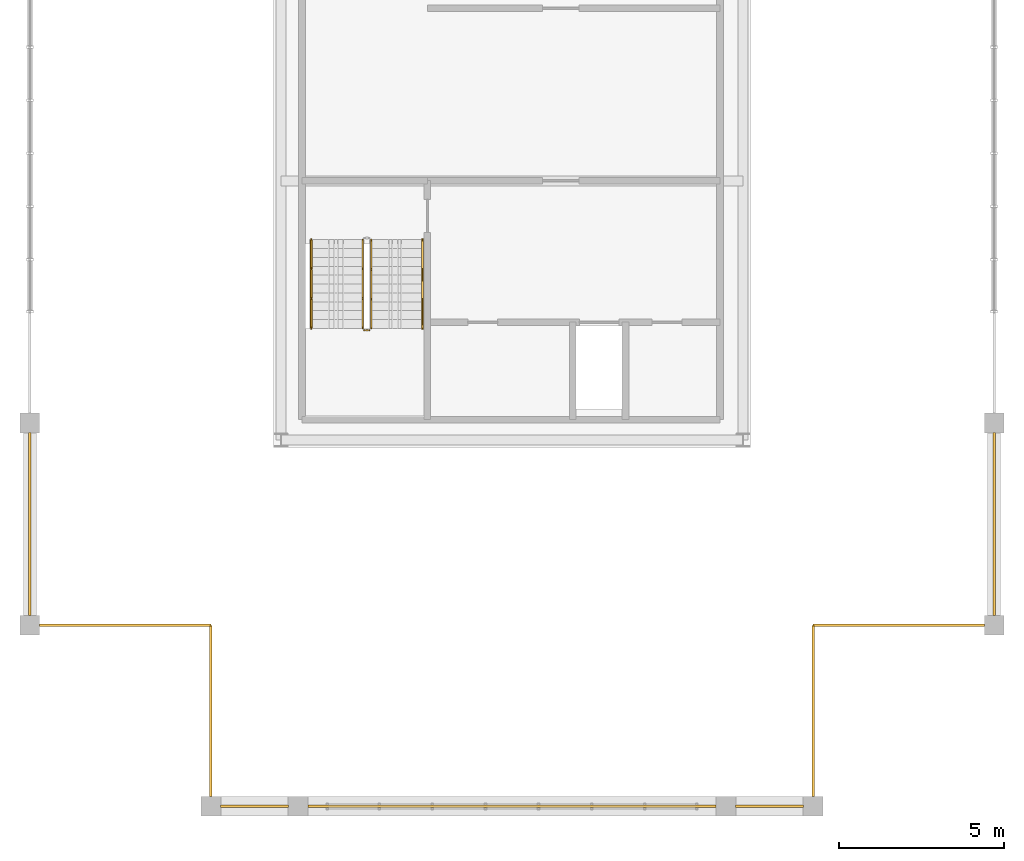
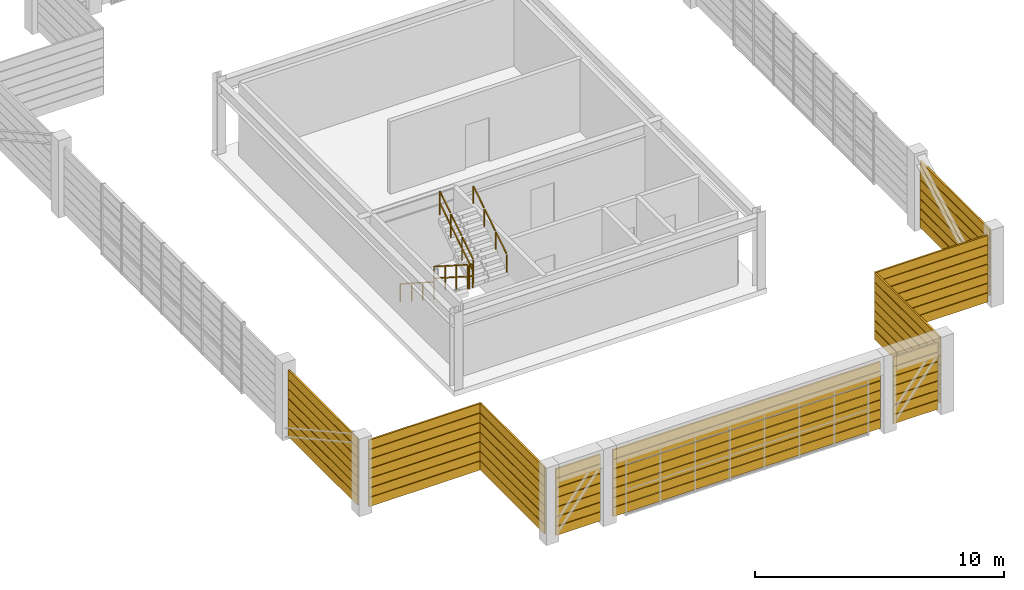
# One storey, part 19 of 21: 63 shading devices, 5 railings.
"""IFC4 building model written with IfcOpenShell, lengths in metres."""

from ifc_helpers import new_model, si_unit, direction, frame, origin, origin_2d, place, context, subcontext, project, spatial, rectangle, extrude, source, transform, mapped, material, material_profile, profile_set, type_object, element, save


model = new_model("IFC4")

# Units and contexts
model_context = context("Model", 3, precision=1e-05, world=origin(), true_north=direction((0.0, 1.0)))
body_context = subcontext(model_context, "Body", "Model", "MODEL_VIEW")
ifc_project = project(units=[si_unit("LENGTHUNIT", "METRE"), si_unit("AREAUNIT", "SQUARE_METRE"), si_unit("VOLUMEUNIT", "CUBIC_METRE"), si_unit("PLANEANGLEUNIT", "RADIAN"), si_unit("MASSUNIT", "GRAM", prefix="KILO")], contexts=[model_context])

# Site, building, storey
site_placement = place(None, origin())
site = spatial("IfcSite", under=ifc_project, at=site_placement, CompositionType="ELEMENT")
building_placement = place(site_placement, origin())
building = spatial("IfcBuilding", under=site, at=building_placement, Name="Saelheon Loggia Tower", CompositionType="ELEMENT")
storey_placement = place(building_placement, frame((0.0, 0.0, 267.39990234375)))
storey = spatial("IfcBuildingStorey", under=building, at=storey_placement, Name="CR5", CompositionType="ELEMENT", Elevation=267.39990234375)

# Railings
ifc_material_1 = material(Name="Galvanised Steel S275 Stairwell Guardrail", Category="steel")
railing_type_1 = type_object("IfcRailingType", Name="Guard_StairWell_RL_STG", PredefinedType="GUARDRAIL", material=ifc_material_1)
railing_1_placement = place(storey_placement, frame((33.4599609375, 23.570068359375, 0.1728515625)))
element("IfcRailing", 1, at=railing_1_placement, inside=storey, type_object=railing_type_1, Name="CR5 ST5 stair guard 1", PredefinedType="GUARDRAIL", context=body_context, shape_type="SweptSolid", body=[
    extrude(rectangle(XDim=0.048095703125, YDim=0.048095703125, at=origin_2d()), frame((0.0, -0.028076171875, 1.19384765625), z_axis=(0.0, -0.842366838036, 0.538904546443), x_axis=(1.0, 0.0, 0.0)), (0.0, 0.0, 1.0), 1.001953125),
    extrude(rectangle(XDim=0.048095703125, YDim=0.048095703125, at=origin_2d()), frame((0.0, -0.028076171875, 0.617919921875), z_axis=(0.0, -0.842366838036, 0.538904546443), x_axis=(1.0, 0.0, 0.0)), (0.0, 0.0, 1.0), 1.001953125),
    extrude(rectangle(XDim=0.048095703125, YDim=0.048095703125, at=origin_2d()), frame((0.0, -0.927978515625, 1.76953125), z_axis=(0.0, -0.842366838036, 0.538904546443), x_axis=(1.0, 0.0, 0.0)), (0.0, 0.0, 1.0), 1.001953125),
    extrude(rectangle(XDim=0.048095703125, YDim=0.048095703125, at=origin_2d()), frame((0.0, -0.927978515625, 1.193603515625), z_axis=(0.0, -0.842366838036, 0.538904546443), x_axis=(1.0, 0.0, 0.0)), (0.0, 0.0, 1.0), 1.001953125),
    extrude(rectangle(XDim=0.048095703125, YDim=0.048095703125, at=origin_2d()), frame((0.0, -1.827880859375, 2.345458984375), z_axis=(0.0, -0.842366838036, 0.538904546443), x_axis=(1.0, 0.0, 0.0)), (0.0, 0.0, 1.0), 1.001953125),
    extrude(rectangle(XDim=0.048095703125, YDim=0.048095703125, at=origin_2d()), frame((0.0, -1.827880859375, 1.76953125), z_axis=(0.0, -0.842366838036, 0.538904546443), x_axis=(1.0, 0.0, 0.0)), (0.0, 0.0, 1.0), 1.001953125),
    extrude(rectangle(XDim=0.0419921875, YDim=0.0419921875, at=origin_2d()), origin(), (0.0, 0.0, 1.0), 1.14794921875),
    extrude(rectangle(XDim=0.0419921875, YDim=0.0419921875, at=origin_2d()), frame((0.0, -0.89990234375, 0.57568359375)), (0.0, 0.0, 1.0), 1.14794921875),
    extrude(rectangle(XDim=0.0419921875, YDim=0.0419921875, at=origin_2d()), frame((0.0, -1.800048828125, 1.151611328125)), (0.0, 0.0, 1.0), 1.14794921875),
    extrude(rectangle(XDim=0.0419921875, YDim=0.0419921875, at=origin_2d()), frame((0.0, -2.699951171875, 1.727294921875)), (0.0, 0.0, 1.0), 1.14794921875),
])
railing_2_placement = place(storey_placement, frame((33.510009765625, 20.820068359375, 1.900146484375)))
element("IfcRailing", 2, at=railing_2_placement, inside=storey, type_object=railing_type_1, Name="CR5 ST5 stair guard 2", PredefinedType="GUARDRAIL", context=body_context, shape_type="SweptSolid", body=[
    extrude(rectangle(XDim=0.048095703125, YDim=0.048095703125, at=origin_2d()), frame((0.033203125, 0.0, 1.17578125), z_axis=(1.0, 0.0, 0.0), x_axis=(0.0, 1.0, 0.0)), (0.0, 0.0, 1.0), 0.093505859375),
    extrude(rectangle(XDim=0.048095703125, YDim=0.048095703125, at=origin_2d()), frame((0.033203125, 0.0, 0.60009765625), z_axis=(1.0, 0.0, 0.0), x_axis=(0.0, 1.0, 0.0)), (0.0, 0.0, 1.0), 0.093505859375),
    extrude(rectangle(XDim=0.0419921875, YDim=0.0419921875, at=origin_2d()), origin(), (0.0, 0.0, 1.0), 1.14794921875),
    extrude(rectangle(XDim=0.0419921875, YDim=0.0419921875, at=origin_2d()), frame((0.159912109375, 0.0, 0.0)), (0.0, 0.0, 1.0), 1.14794921875),
])
railing_3_placement = place(storey_placement, frame((33.719970703125, 20.8701171875, 2.07275390625)))
element("IfcRailing", 3, at=railing_3_placement, inside=storey, type_object=railing_type_1, Name="CR5 ST5 stair guard 3", PredefinedType="GUARDRAIL", context=body_context, shape_type="SweptSolid", body=[
    extrude(rectangle(XDim=0.048095703125, YDim=0.048095703125, at=origin_2d()), frame((0.0, 0.028076171875, 1.19384765625), z_axis=(0.0, 0.842366838036, 0.538904546443), x_axis=(-1.0, 0.0, 0.0)), (0.0, 0.0, 1.0), 1.001953125),
    extrude(rectangle(XDim=0.048095703125, YDim=0.048095703125, at=origin_2d()), frame((0.0, 0.028076171875, 0.617919921875), z_axis=(0.0, 0.842366838036, 0.538904546443), x_axis=(-1.0, 0.0, 0.0)), (0.0, 0.0, 1.0), 1.001953125),
    extrude(rectangle(XDim=0.048095703125, YDim=0.048095703125, at=origin_2d()), frame((0.0, 0.927978515625, 1.76953125), z_axis=(0.0, 0.842366838036, 0.538904546443), x_axis=(-1.0, 0.0, 0.0)), (0.0, 0.0, 1.0), 1.001953125),
    extrude(rectangle(XDim=0.048095703125, YDim=0.048095703125, at=origin_2d()), frame((0.0, 0.927978515625, 1.193603515625), z_axis=(0.0, 0.842366838036, 0.538904546443), x_axis=(-1.0, 0.0, 0.0)), (0.0, 0.0, 1.0), 1.001953125),
    extrude(rectangle(XDim=0.048095703125, YDim=0.048095703125, at=origin_2d()), frame((0.0, 1.827880859375, 2.345458984375), z_axis=(0.0, 0.842366838036, 0.538904546443), x_axis=(-1.0, 0.0, 0.0)), (0.0, 0.0, 1.0), 1.001953125),
    extrude(rectangle(XDim=0.048095703125, YDim=0.048095703125, at=origin_2d()), frame((0.0, 1.827880859375, 1.76953125), z_axis=(0.0, 0.842366838036, 0.538904546443), x_axis=(-1.0, 0.0, 0.0)), (0.0, 0.0, 1.0), 1.001953125),
    extrude(rectangle(XDim=0.0419921875, YDim=0.0419921875, at=origin_2d()), origin(), (0.0, 0.0, 1.0), 1.14794921875),
    extrude(rectangle(XDim=0.0419921875, YDim=0.0419921875, at=origin_2d()), frame((0.0, 0.89990234375, 0.57568359375)), (0.0, 0.0, 1.0), 1.14794921875),
    extrude(rectangle(XDim=0.0419921875, YDim=0.0419921875, at=origin_2d()), frame((0.0, 1.800048828125, 1.151611328125)), (0.0, 0.0, 1.0), 1.14794921875),
    extrude(rectangle(XDim=0.0419921875, YDim=0.0419921875, at=origin_2d()), frame((0.0, 2.699951171875, 1.727294921875)), (0.0, 0.0, 1.0), 1.14794921875),
])
ifc_material_2 = material(Name="Stainless Steel 304 Tubular Handrail", Category="steel")
railing_type_2 = type_object("IfcRailingType", Name="Handrail_Stair_RL_HR1", PredefinedType="HANDRAIL", material=ifc_material_2)
railing_4_placement = place(storey_placement, frame((31.89990234375, 23.570068359375, 0.1728515625)))
element("IfcRailing", 4, at=railing_4_placement, inside=storey, type_object=railing_type_2, Name="CR5 ST5 stair handrail 1", PredefinedType="HANDRAIL", context=body_context, shape_type="SweptSolid", body=[
    extrude(rectangle(XDim=0.048095703125, YDim=0.048095703125, at=origin_2d()), frame((0.0, -0.028076171875, 0.893798828125), z_axis=(0.0, -0.842366838036, 0.538904546443), x_axis=(1.0, 0.0, 0.0)), (0.0, 0.0, 1.0), 1.001953125),
    extrude(rectangle(XDim=0.048095703125, YDim=0.048095703125, at=origin_2d()), frame((0.0, -0.927978515625, 1.469482421875), z_axis=(0.0, -0.842366838036, 0.538904546443), x_axis=(1.0, 0.0, 0.0)), (0.0, 0.0, 1.0), 1.001953125),
    extrude(rectangle(XDim=0.048095703125, YDim=0.048095703125, at=origin_2d()), frame((0.0, -1.827880859375, 2.04541015625), z_axis=(0.0, -0.842366838036, 0.538904546443), x_axis=(1.0, 0.0, 0.0)), (0.0, 0.0, 1.0), 1.001953125),
    extrude(rectangle(XDim=0.0419921875, YDim=0.0419921875, at=origin_2d()), origin(), (0.0, 0.0, 1.0), 0.847900390625),
    extrude(rectangle(XDim=0.0419921875, YDim=0.0419921875, at=origin_2d()), frame((0.0, -0.89990234375, 0.57568359375)), (0.0, 0.0, 1.0), 0.847900390625),
    extrude(rectangle(XDim=0.0419921875, YDim=0.0419921875, at=origin_2d()), frame((0.0, -1.800048828125, 1.151611328125)), (0.0, 0.0, 1.0), 0.847900390625),
    extrude(rectangle(XDim=0.0419921875, YDim=0.0419921875, at=origin_2d()), frame((0.0, -2.699951171875, 1.727294921875)), (0.0, 0.0, 1.0), 0.847900390625),
])
railing_5_placement = place(storey_placement, frame((35.280029296875, 20.8701171875, 2.07275390625)))
element("IfcRailing", 5, at=railing_5_placement, inside=storey, type_object=railing_type_2, Name="CR5 ST5 stair handrail 2", PredefinedType="HANDRAIL", context=body_context, shape_type="SweptSolid", body=[
    extrude(rectangle(XDim=0.048095703125, YDim=0.048095703125, at=origin_2d()), frame((0.0, 0.028076171875, 0.893798828125), z_axis=(0.0, 0.842366838036, 0.538904546443), x_axis=(-1.0, 0.0, 0.0)), (0.0, 0.0, 1.0), 1.001953125),
    extrude(rectangle(XDim=0.048095703125, YDim=0.048095703125, at=origin_2d()), frame((0.0, 0.927978515625, 1.469482421875), z_axis=(0.0, 0.842366838036, 0.538904546443), x_axis=(-1.0, 0.0, 0.0)), (0.0, 0.0, 1.0), 1.001953125),
    extrude(rectangle(XDim=0.048095703125, YDim=0.048095703125, at=origin_2d()), frame((0.0, 1.827880859375, 2.04541015625), z_axis=(0.0, 0.842366838036, 0.538904546443), x_axis=(-1.0, 0.0, 0.0)), (0.0, 0.0, 1.0), 1.001953125),
    extrude(rectangle(XDim=0.0419921875, YDim=0.0419921875, at=origin_2d()), origin(), (0.0, 0.0, 1.0), 0.847900390625),
    extrude(rectangle(XDim=0.0419921875, YDim=0.0419921875, at=origin_2d()), frame((0.0, 0.89990234375, 0.57568359375)), (0.0, 0.0, 1.0), 0.847900390625),
    extrude(rectangle(XDim=0.0419921875, YDim=0.0419921875, at=origin_2d()), frame((0.0, 1.800048828125, 1.151611328125)), (0.0, 0.0, 1.0), 0.847900390625),
    extrude(rectangle(XDim=0.0419921875, YDim=0.0419921875, at=origin_2d()), frame((0.0, 2.699951171875, 1.727294921875)), (0.0, 0.0, 1.0), 0.847900390625),
])

# Shading devices
ifc_material_3 = material(Name="Bronze-Anodised Aluminium 6063-T6", Category="aluminium")
ifc_material_profile = material_profile(ifc_material_3, rectangle(XDim=0.080078125, YDim=0.43994140625, at=origin_2d()), Name="Louvre_CrownBlade_250")
ifc_profile_set = profile_set([ifc_material_profile], Name="Bronze-Anodised Aluminium 6063-T6")
shading_device_type = type_object("IfcShadingDeviceType", Name="Louvre_CrownBlade_250", PredefinedType="AWNING", material=ifc_profile_set)
shared_shape_1 = source(origin(), body_context, "Body", "SweptSolid", [
    extrude(rectangle(XDim=0.080078125, YDim=0.43994140625, at=origin_2d()), origin(), (0.0, 0.0, 1.0), 2.06005859375),
])
for number, where, z_axis, x_axis, name in (
    (6, (29.14501953125, 6.35009765625, 0.35009765625), (1.0, 0.0, 0.0), (0.0, 1.0, 0.0), "CR5 Crown Screen Horizontal Blade"),
    (7, (29.14501953125, 6.35009765625, 0.820068359375), (1.0, 0.0, 0.0), (0.0, 1.0, 0.0), "CR5 Crown Screen Horizontal Blade"),
    (8, (29.14501953125, 6.35009765625, 1.2900390625), (1.0, 0.0, 0.0), (0.0, 1.0, 0.0), "CR5 Crown Screen Horizontal Blade"),
    (9, (29.14501953125, 6.35009765625, 1.760009765625), (1.0, 0.0, 0.0), (0.0, 1.0, 0.0), "CR5 Crown Screen Horizontal Blade"),
    (10, (29.14501953125, 6.35009765625, 2.22998046875), (1.0, 0.0, 0.0), (0.0, 1.0, 0.0), "CR5 Crown Screen Horizontal Blade"),
    (11, (29.14501953125, 6.35009765625, 2.7001953125), (1.0, 0.0, 0.0), (0.0, 1.0, 0.0), "CR5 Crown Screen Horizontal Blade"),
    (12, (29.14501953125, 6.35009765625, 3.170166015625), (1.0, 0.0, 0.0), (0.0, 1.0, 0.0), "CR5 Crown Screen Horizontal Blade"),
    (13, (44.794921875, 6.35009765625, 0.35009765625), (1.0, 0.0, 0.0), (0.0, 1.0, 0.0), "CR5 Crown Screen Horizontal Blade"),
    (14, (44.794921875, 6.35009765625, 0.820068359375), (1.0, 0.0, 0.0), (0.0, 1.0, 0.0), "CR5 Crown Screen Horizontal Blade"),
    (15, (44.794921875, 6.35009765625, 1.2900390625), (1.0, 0.0, 0.0), (0.0, 1.0, 0.0), "CR5 Crown Screen Horizontal Blade"),
    (16, (44.794921875, 6.35009765625, 1.760009765625), (1.0, 0.0, 0.0), (0.0, 1.0, 0.0), "CR5 Crown Screen Horizontal Blade"),
    (17, (44.794921875, 6.35009765625, 2.22998046875), (1.0, 0.0, 0.0), (0.0, 1.0, 0.0), "CR5 Crown Screen Horizontal Blade"),
    (18, (44.794921875, 6.35009765625, 2.7001953125), (1.0, 0.0, 0.0), (0.0, 1.0, 0.0), "CR5 Crown Screen Horizontal Blade"),
    (19, (44.794921875, 6.35009765625, 3.170166015625), (1.0, 0.0, 0.0), (0.0, 1.0, 0.0), "CR5 Crown Screen Horizontal Blade"),
):
    element("IfcShadingDevice", number, at=place(storey_placement, frame(where, z_axis=z_axis, x_axis=x_axis)), inside=storey, type_object=shading_device_type, Name=name, PredefinedType="AWNING", context=body_context, shape_type="MappedRepresentation", body=[
        mapped(shared_shape_1, transform((0.0, 0.0, 0.0), scale=1.0)),
    ])
shared_shape_2 = source(origin(), body_context, "Body", "SweptSolid", [
    extrude(rectangle(XDim=0.080078125, YDim=0.43994140625, at=origin_2d()), origin(), (0.0, 0.0, 1.0), 12.41015625),
])
for number, where, z_axis, x_axis, name in (
    (20, (31.794921875, 6.35009765625, 0.35009765625), (1.0, 0.0, 0.0), (0.0, 1.0, 0.0), "CR5 Crown Screen Horizontal Blade"),
    (21, (31.794921875, 6.35009765625, 0.820068359375), (1.0, 0.0, 0.0), (0.0, 1.0, 0.0), "CR5 Crown Screen Horizontal Blade"),
    (22, (31.794921875, 6.35009765625, 1.2900390625), (1.0, 0.0, 0.0), (0.0, 1.0, 0.0), "CR5 Crown Screen Horizontal Blade"),
    (23, (31.794921875, 6.35009765625, 1.760009765625), (1.0, 0.0, 0.0), (0.0, 1.0, 0.0), "CR5 Crown Screen Horizontal Blade"),
    (24, (31.794921875, 6.35009765625, 2.22998046875), (1.0, 0.0, 0.0), (0.0, 1.0, 0.0), "CR5 Crown Screen Horizontal Blade"),
    (25, (31.794921875, 6.35009765625, 2.7001953125), (1.0, 0.0, 0.0), (0.0, 1.0, 0.0), "CR5 Crown Screen Horizontal Blade"),
    (26, (31.794921875, 6.35009765625, 3.170166015625), (1.0, 0.0, 0.0), (0.0, 1.0, 0.0), "CR5 Crown Screen Horizontal Blade"),
):
    element("IfcShadingDevice", number, at=place(storey_placement, frame(where, z_axis=z_axis, x_axis=x_axis)), inside=storey, type_object=shading_device_type, Name=name, PredefinedType="AWNING", context=body_context, shape_type="MappedRepresentation", body=[
        mapped(shared_shape_2, transform((0.0, 0.0, 0.0), scale=1.0)),
    ])
shared_shape_3 = source(origin(), body_context, "Body", "SweptSolid", [
    extrude(rectangle(XDim=0.080078125, YDim=0.43994140625, at=origin_2d()), origin(), (0.0, 0.0, 1.0), 5.205078125),
])
for number, where, z_axis, x_axis, name in (
    (27, (47.14990234375, 6.64501953125, 0.35009765625), (0.0, 1.0, 0.0), (-1.0, 0.0, 0.0), "CR5 Crown Screen Horizontal Blade"),
    (28, (47.14990234375, 6.64501953125, 0.820068359375), (0.0, 1.0, 0.0), (-1.0, 0.0, 0.0), "CR5 Crown Screen Horizontal Blade"),
    (29, (47.14990234375, 6.64501953125, 1.2900390625), (0.0, 1.0, 0.0), (-1.0, 0.0, 0.0), "CR5 Crown Screen Horizontal Blade"),
    (30, (47.14990234375, 6.64501953125, 1.760009765625), (0.0, 1.0, 0.0), (-1.0, 0.0, 0.0), "CR5 Crown Screen Horizontal Blade"),
    (31, (47.14990234375, 6.64501953125, 2.22998046875), (0.0, 1.0, 0.0), (-1.0, 0.0, 0.0), "CR5 Crown Screen Horizontal Blade"),
    (32, (47.14990234375, 6.64501953125, 2.7001953125), (0.0, 1.0, 0.0), (-1.0, 0.0, 0.0), "CR5 Crown Screen Horizontal Blade"),
    (33, (47.14990234375, 6.64501953125, 3.170166015625), (0.0, 1.0, 0.0), (-1.0, 0.0, 0.0), "CR5 Crown Screen Horizontal Blade"),
    (34, (47.14990234375, 11.85009765625, 0.35009765625), (1.0, 0.0, 0.0), (0.0, 1.0, 0.0), "CR5 Crown Screen Horizontal Blade"),
    (35, (47.14990234375, 11.85009765625, 0.820068359375), (1.0, 0.0, 0.0), (0.0, 1.0, 0.0), "CR5 Crown Screen Horizontal Blade"),
    (36, (47.14990234375, 11.85009765625, 1.2900390625), (1.0, 0.0, 0.0), (0.0, 1.0, 0.0), "CR5 Crown Screen Horizontal Blade"),
    (37, (47.14990234375, 11.85009765625, 1.760009765625), (1.0, 0.0, 0.0), (0.0, 1.0, 0.0), "CR5 Crown Screen Horizontal Blade"),
    (38, (47.14990234375, 11.85009765625, 2.22998046875), (1.0, 0.0, 0.0), (0.0, 1.0, 0.0), "CR5 Crown Screen Horizontal Blade"),
    (39, (47.14990234375, 11.85009765625, 2.7001953125), (1.0, 0.0, 0.0), (0.0, 1.0, 0.0), "CR5 Crown Screen Horizontal Blade"),
    (40, (47.14990234375, 11.85009765625, 3.170166015625), (1.0, 0.0, 0.0), (0.0, 1.0, 0.0), "CR5 Crown Screen Horizontal Blade"),
    (41, (23.64501953125, 11.85009765625, 0.35009765625), (1.0, 0.0, 0.0), (0.0, 1.0, 0.0), "CR5 Crown Screen Horizontal Blade"),
    (42, (23.64501953125, 11.85009765625, 0.820068359375), (1.0, 0.0, 0.0), (0.0, 1.0, 0.0), "CR5 Crown Screen Horizontal Blade"),
    (43, (23.64501953125, 11.85009765625, 1.2900390625), (1.0, 0.0, 0.0), (0.0, 1.0, 0.0), "CR5 Crown Screen Horizontal Blade"),
    (44, (23.64501953125, 11.85009765625, 1.760009765625), (1.0, 0.0, 0.0), (0.0, 1.0, 0.0), "CR5 Crown Screen Horizontal Blade"),
    (45, (23.64501953125, 11.85009765625, 2.22998046875), (1.0, 0.0, 0.0), (0.0, 1.0, 0.0), "CR5 Crown Screen Horizontal Blade"),
    (46, (23.64501953125, 11.85009765625, 2.7001953125), (1.0, 0.0, 0.0), (0.0, 1.0, 0.0), "CR5 Crown Screen Horizontal Blade"),
    (47, (23.64501953125, 11.85009765625, 3.170166015625), (1.0, 0.0, 0.0), (0.0, 1.0, 0.0), "CR5 Crown Screen Horizontal Blade"),
    (48, (28.85009765625, 11.85009765625, 0.35009765625), (0.0, -1.0, 0.0), (1.0, 0.0, 0.0), "CR5 Crown Screen Horizontal Blade"),
    (49, (28.85009765625, 11.85009765625, 0.820068359375), (0.0, -1.0, 0.0), (1.0, 0.0, 0.0), "CR5 Crown Screen Horizontal Blade"),
    (50, (28.85009765625, 11.85009765625, 1.2900390625), (0.0, -1.0, 0.0), (1.0, 0.0, 0.0), "CR5 Crown Screen Horizontal Blade"),
    (51, (28.85009765625, 11.85009765625, 1.760009765625), (0.0, -1.0, 0.0), (1.0, 0.0, 0.0), "CR5 Crown Screen Horizontal Blade"),
    (52, (28.85009765625, 11.85009765625, 2.22998046875), (0.0, -1.0, 0.0), (1.0, 0.0, 0.0), "CR5 Crown Screen Horizontal Blade"),
    (53, (28.85009765625, 11.85009765625, 2.7001953125), (0.0, -1.0, 0.0), (1.0, 0.0, 0.0), "CR5 Crown Screen Horizontal Blade"),
    (54, (28.85009765625, 11.85009765625, 3.170166015625), (0.0, -1.0, 0.0), (1.0, 0.0, 0.0), "CR5 Crown Screen Horizontal Blade"),
):
    element("IfcShadingDevice", number, at=place(storey_placement, frame(where, z_axis=z_axis, x_axis=x_axis)), inside=storey, type_object=shading_device_type, Name=name, PredefinedType="AWNING", context=body_context, shape_type="MappedRepresentation", body=[
        mapped(shared_shape_3, transform((0.0, 0.0, 0.0), scale=1.0)),
    ])
shared_shape_4 = source(origin(), body_context, "Body", "SweptSolid", [
    extrude(rectangle(XDim=0.080078125, YDim=0.43994140625, at=origin_2d()), origin(), (0.0, 0.0, 1.0), 5.56005859375),
])
for number, where, z_axis, x_axis, name in (
    (55, (52.64990234375, 12.14501953125, 0.35009765625), (0.0, 1.0, 0.0), (-1.0, 0.0, 0.0), "CR5 Crown Screen Horizontal Blade"),
    (56, (52.64990234375, 12.14501953125, 0.820068359375), (0.0, 1.0, 0.0), (-1.0, 0.0, 0.0), "CR5 Crown Screen Horizontal Blade"),
    (57, (52.64990234375, 12.14501953125, 1.2900390625), (0.0, 1.0, 0.0), (-1.0, 0.0, 0.0), "CR5 Crown Screen Horizontal Blade"),
    (58, (52.64990234375, 12.14501953125, 1.760009765625), (0.0, 1.0, 0.0), (-1.0, 0.0, 0.0), "CR5 Crown Screen Horizontal Blade"),
    (59, (52.64990234375, 12.14501953125, 2.22998046875), (0.0, 1.0, 0.0), (-1.0, 0.0, 0.0), "CR5 Crown Screen Horizontal Blade"),
    (60, (52.64990234375, 12.14501953125, 2.7001953125), (0.0, 1.0, 0.0), (-1.0, 0.0, 0.0), "CR5 Crown Screen Horizontal Blade"),
    (61, (52.64990234375, 12.14501953125, 3.170166015625), (0.0, 1.0, 0.0), (-1.0, 0.0, 0.0), "CR5 Crown Screen Horizontal Blade"),
    (62, (23.35009765625, 17.705078125, 0.35009765625), (0.0, -1.0, 0.0), (1.0, 0.0, 0.0), "CR5 Crown Screen Horizontal Blade"),
    (63, (23.35009765625, 17.705078125, 0.820068359375), (0.0, -1.0, 0.0), (1.0, 0.0, 0.0), "CR5 Crown Screen Horizontal Blade"),
    (64, (23.35009765625, 17.705078125, 1.2900390625), (0.0, -1.0, 0.0), (1.0, 0.0, 0.0), "CR5 Crown Screen Horizontal Blade"),
    (65, (23.35009765625, 17.705078125, 1.760009765625), (0.0, -1.0, 0.0), (1.0, 0.0, 0.0), "CR5 Crown Screen Horizontal Blade"),
    (66, (23.35009765625, 17.705078125, 2.22998046875), (0.0, -1.0, 0.0), (1.0, 0.0, 0.0), "CR5 Crown Screen Horizontal Blade"),
    (67, (23.35009765625, 17.705078125, 2.7001953125), (0.0, -1.0, 0.0), (1.0, 0.0, 0.0), "CR5 Crown Screen Horizontal Blade"),
    (68, (23.35009765625, 17.705078125, 3.170166015625), (0.0, -1.0, 0.0), (1.0, 0.0, 0.0), "CR5 Crown Screen Horizontal Blade"),
):
    element("IfcShadingDevice", number, at=place(storey_placement, frame(where, z_axis=z_axis, x_axis=x_axis)), inside=storey, type_object=shading_device_type, Name=name, PredefinedType="AWNING", context=body_context, shape_type="MappedRepresentation", body=[
        mapped(shared_shape_4, transform((0.0, 0.0, 0.0), scale=1.0)),
    ])

save(model, "model.ifc")
